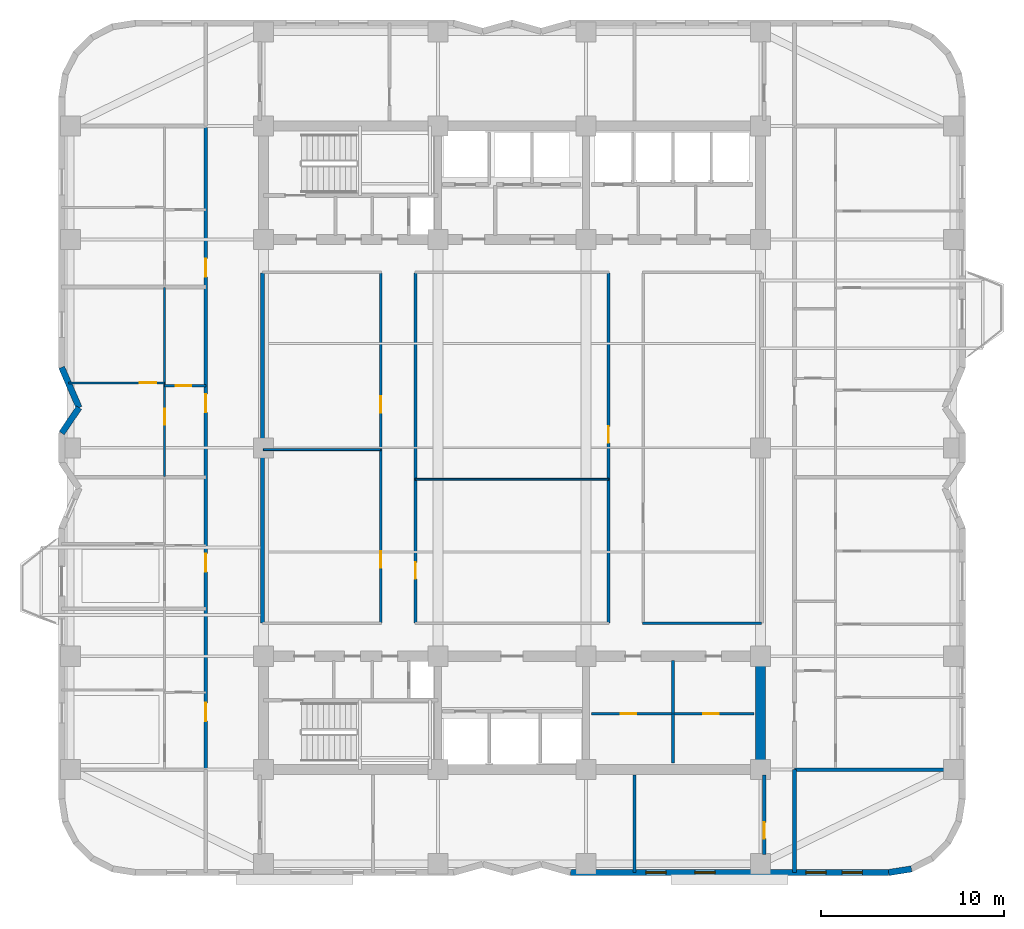
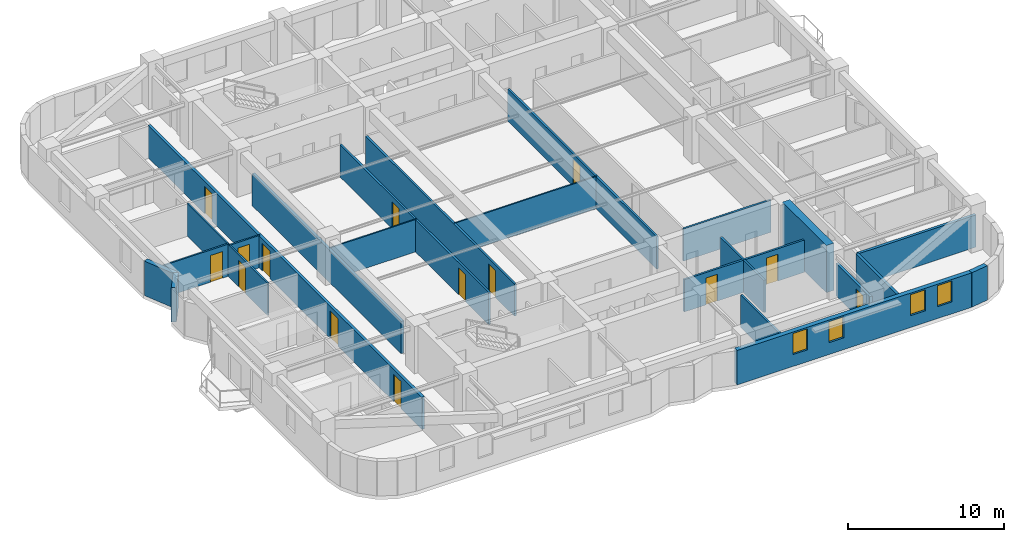
# One storey, part 4 of 10: 23 walls, 14 doors, 4 windows, 18 openings.
"""IFC4 building model written with IfcOpenShell, lengths in metres."""

from ifc_helpers import new_model, si_unit, direction, frame, frame_2d, origin, place, context, subcontext, project, spatial, rectangle, extrude, material, layer, layer_set, type_object, element, fill, save


model = new_model("IFC4")

# Units and contexts
model_context = context("Model", 3, precision=1e-05, world=origin(), true_north=direction((0.0, 1.0)))
body_context = subcontext(model_context, "Body", "Model", "MODEL_VIEW")
ifc_project = project(units=[si_unit("LENGTHUNIT", "METRE"), si_unit("AREAUNIT", "SQUARE_METRE"), si_unit("VOLUMEUNIT", "CUBIC_METRE"), si_unit("PLANEANGLEUNIT", "RADIAN"), si_unit("MASSUNIT", "GRAM", prefix="KILO")], contexts=[model_context])

# Site, building, storey
site_placement = place(None, origin())
site = spatial("IfcSite", under=ifc_project, at=site_placement, CompositionType="ELEMENT")
building_placement = place(site_placement, origin())
building = spatial("IfcBuilding", under=site, at=building_placement, Name="Svetorya Sky Lyceum", CompositionType="ELEMENT")
storey_placement = place(building_placement, frame((0.0, 0.0, 95.699951171875)))
storey = spatial("IfcBuildingStorey", under=building, at=storey_placement, Name="L23", CompositionType="ELEMENT", Elevation=95.699951171875)

# Wall
ifc_material_1 = material(Name="Concrete C60/75", Category="concrete")
ifc_layer_1 = layer(ifc_material_1, 0.550048828125)
ifc_layer_set_1 = layer_set([ifc_layer_1], Name="Concrete C60/75")
wall_type_1 = type_object("IfcWallType", Name="WL-CORE-550", PredefinedType="SHEAR", material=ifc_layer_set_1)
wall_1_placement = place(storey_placement, frame((52.800048828125, 10.875, 0.0), z_axis=(0.0, 0.0, 1.0), x_axis=(0.0, 1.0, 0.0)))
element("IfcWall", 1, at=wall_1_placement, inside=storey, type_object=wall_type_1, Name="L23 SC East Core Shear Wall", PredefinedType="SHEAR", context=body_context, shape_type="SweptSolid", body=[
    extrude(rectangle(XDim=5.64990234375, YDim=0.550048828125, at=frame_2d((2.824951171875, 0.0))), origin(), (0.0, 0.0, 1.0), 3.699951171875),
])

# Wall, openings, windows
ifc_material_2 = material(Name="Putilovo limestone rainscreen on autoclaved cellular masonry", Category="masonry")
ifc_layer_2 = layer(ifc_material_2, 0.340087890625)
ifc_layer_set_2 = layer_set([ifc_layer_2], Name="Putilovo limestone rainscreen on autoclaved cellular masonry")
wall_type_2 = type_object("IfcWallType", Name="WL-EXT-340", PredefinedType="SOLIDWALL", material=ifc_layer_set_2)
wall_2_placement = place(storey_placement, frame((42.39990234375, 4.969970703125, 0.0), z_axis=(0.0, 0.0, 1.0), x_axis=(1.0, 0.0, 0.0)))
wall_2 = element("IfcWall", 2, at=wall_2_placement, inside=storey, type_object=wall_type_2, Name="L23 Limestone Exterior Wall 11M", PredefinedType="SOLIDWALL", context=body_context, shape_type="SweptSolid", body=[
    extrude(rectangle(XDim=17.400146484375, YDim=0.340087890625, at=frame_2d((8.7001953125, 0.0))), origin(), (0.0, 0.0, 1.0), 2.699951171875),
])
opening_1_placement = place(wall_2_placement, frame((4.125, 0.0, 0.929931640625)))
opening_1 = element("IfcOpeningElement", 3, at=opening_1_placement, cuts=wall_2, Name="Opening W-R3", PredefinedType="OPENING", context=body_context, shape_type="SweptSolid", body=[
    extrude(rectangle(XDim=1.10009765625, YDim=1.64990234375, at=frame_2d((0.550048828125, 0.824951171875))), frame((0.0, 0.179931640625, 0.0), z_axis=(0.0, -1.0, 0.0), x_axis=(1.0, 0.0, 0.0)), (0.0, 0.0, 1.0), 0.360107421875),
])
opening_2_placement = place(wall_2_placement, frame((6.808349609375, 0.0, 0.929931640625)))
opening_2 = element("IfcOpeningElement", 4, at=opening_2_placement, cuts=wall_2, Name="Opening W-R3", PredefinedType="OPENING", context=body_context, shape_type="SweptSolid", body=[
    extrude(rectangle(XDim=1.10009765625, YDim=1.64990234375, at=frame_2d((0.550048828125, 0.824951171875))), frame((0.0, 0.179931640625, 0.0), z_axis=(0.0, -1.0, 0.0), x_axis=(1.0, 0.0, 0.0)), (0.0, 0.0, 1.0), 0.360107421875),
])
opening_3_placement = place(wall_2_placement, frame((12.875, 0.0, 0.929931640625)))
opening_3 = element("IfcOpeningElement", 5, at=opening_3_placement, cuts=wall_2, Name="Opening W-R3", PredefinedType="OPENING", context=body_context, shape_type="SweptSolid", body=[
    extrude(rectangle(XDim=1.10009765625, YDim=1.64990234375, at=frame_2d((0.550048828125, 0.824951171875))), frame((0.0, 0.179931640625, 0.0), z_axis=(0.0, -1.0, 0.0), x_axis=(1.0, 0.0, 0.0)), (0.0, 0.0, 1.0), 0.360107421875),
])
opening_4_placement = place(wall_2_placement, frame((14.8583984375, 0.0, 0.929931640625)))
opening_4 = element("IfcOpeningElement", 6, at=opening_4_placement, cuts=wall_2, Name="Opening W-R3", PredefinedType="OPENING", context=body_context, shape_type="SweptSolid", body=[
    extrude(rectangle(XDim=1.10009765625, YDim=1.64990234375, at=frame_2d((0.550048828125, 0.824951171875))), frame((0.0, 0.179931640625, 0.0), z_axis=(0.0, -1.0, 0.0), x_axis=(1.0, 0.0, 0.0)), (0.0, 0.0, 1.0), 0.360107421875),
])
ifc_material_3 = material(Name="Thermally broken aluminium frame with triple low-E glazing", Category="aluminium")
window_type = type_object("IfcWindowType", Name="WN-RES-110", PartitioningType="SINGLE_PANEL", PredefinedType="WINDOW", material=ifc_material_3)
window_1_placement = place(opening_1_placement, origin())
window_1 = element("IfcWindow", 7, at=window_1_placement, inside=storey, type_object=window_type, Name="L23 Facade Window W-R3.11M.1", OverallHeight=1.64990234375, OverallWidth=1.10009765625, PartitioningType="SINGLE_PANEL", PredefinedType="WINDOW", context=body_context, shape_type="SweptSolid", body=[
    extrude(rectangle(XDim=1.10009765625, YDim=1.64990234375, at=frame_2d((0.550048828125, 0.824951171875))), frame((0.0, 0.030029296875, 0.0), z_axis=(0.0, -1.0, 0.0), x_axis=(1.0, 0.0, 0.0)), (0.0, 0.0, 1.0), 0.06005859375),
])
fill(opening_1, window_1)
window_2_placement = place(opening_2_placement, origin())
window_2 = element("IfcWindow", 8, at=window_2_placement, inside=storey, type_object=window_type, Name="L23 Facade Window W-R3.11M.2", OverallHeight=1.64990234375, OverallWidth=1.10009765625, PartitioningType="SINGLE_PANEL", PredefinedType="WINDOW", context=body_context, shape_type="SweptSolid", body=[
    extrude(rectangle(XDim=1.10009765625, YDim=1.64990234375, at=frame_2d((0.550048828125, 0.824951171875))), frame((0.0, 0.030029296875, 0.0), z_axis=(0.0, -1.0, 0.0), x_axis=(1.0, 0.0, 0.0)), (0.0, 0.0, 1.0), 0.06005859375),
])
fill(opening_2, window_2)
window_3_placement = place(opening_3_placement, origin())
window_3 = element("IfcWindow", 9, at=window_3_placement, inside=storey, type_object=window_type, Name="L23 Facade Window W-R3.11M.3", OverallHeight=1.64990234375, OverallWidth=1.10009765625, PartitioningType="SINGLE_PANEL", PredefinedType="WINDOW", context=body_context, shape_type="SweptSolid", body=[
    extrude(rectangle(XDim=1.10009765625, YDim=1.64990234375, at=frame_2d((0.550048828125, 0.824951171875))), frame((0.0, 0.030029296875, 0.0), z_axis=(0.0, -1.0, 0.0), x_axis=(1.0, 0.0, 0.0)), (0.0, 0.0, 1.0), 0.06005859375),
])
fill(opening_3, window_3)
window_4_placement = place(opening_4_placement, origin())
window_4 = element("IfcWindow", 10, at=window_4_placement, inside=storey, type_object=window_type, Name="L23 Facade Window W-R3.11M.4", OverallHeight=1.64990234375, OverallWidth=1.10009765625, PartitioningType="SINGLE_PANEL", PredefinedType="WINDOW", context=body_context, shape_type="SweptSolid", body=[
    extrude(rectangle(XDim=1.10009765625, YDim=1.64990234375, at=frame_2d((0.550048828125, 0.824951171875))), frame((0.0, 0.030029296875, 0.0), z_axis=(0.0, -1.0, 0.0), x_axis=(1.0, 0.0, 0.0)), (0.0, 0.0, 1.0), 0.06005859375),
])
fill(opening_4, window_4)

# Walls
wall_3_placement = place(storey_placement, frame((59.800048828125, 4.969970703125, 0.0), z_axis=(0.0, 0.0, 1.0), x_axis=(0.987685918112, 0.15644975923, 0.0)))
element("IfcWall", 11, at=wall_3_placement, inside=storey, type_object=wall_type_2, Name="L23 Limestone Exterior Wall 12M", PredefinedType="SOLIDWALL", context=body_context, shape_type="SweptSolid", body=[
    extrude(rectangle(XDim=1.260986328125, YDim=0.340087890625, at=frame_2d((0.63037109375, 0.0))), origin(), (0.0, 0.0, 1.0), 2.699951171875),
])
wall_4_placement = place(storey_placement, frame((14.570068359375, 32.60009765625, 0.0), z_axis=(0.0, 0.0, 1.0), x_axis=(0.396389181543, -0.918082576218, 0.0)))
element("IfcWall", 12, at=wall_4_placement, inside=storey, type_object=wall_type_2, Name="L23 Limestone Exterior Wall 41M", PredefinedType="SOLIDWALL", context=body_context, shape_type="SweptSolid", body=[
    extrude(rectangle(XDim=2.396484375, YDim=0.340087890625, at=frame_2d((1.1982421875, 0.0))), origin(), (0.0, 0.0, 1.0), 2.699951171875),
])
wall_5_placement = place(storey_placement, frame((15.52001953125, 30.39990234375, 0.0), z_axis=(0.0, 0.0, 1.0), x_axis=(-0.561508476251, -0.827470985049, 0.0)))
element("IfcWall", 13, at=wall_5_placement, inside=storey, type_object=wall_type_2, Name="L23 Limestone Exterior Wall 42M", PredefinedType="SOLIDWALL", context=body_context, shape_type="SweptSolid", body=[
    extrude(rectangle(XDim=1.69189453125, YDim=0.340087890625, at=frame_2d((0.845947265625, 0.0))), origin(), (0.0, 0.0, 1.0), 2.699951171875),
])
ifc_material_4 = material(Name="Galvanized stud partition with moisture-resistant board", Category="gypsum")
ifc_layer_3 = layer(ifc_material_4, 0.10009765625)
ifc_layer_set_3 = layer_set([ifc_layer_3], Name="Galvanized stud partition with moisture-resistant board")
wall_type_3 = type_object("IfcWallType", Name="WL-PART-100", PredefinedType="PARTITIONING", material=ifc_layer_set_3)
wall_6_placement = place(storey_placement, frame((25.60009765625, 28.10009765625, 0.0), z_axis=(0.0, 0.0, 1.0), x_axis=(1.0, 0.0, 0.0)))
element("IfcWall", 14, at=wall_6_placement, inside=storey, type_object=wall_type_3, Name="L23 Interior Partition ISL-HMW", PredefinedType="PARTITIONING", context=body_context, shape_type="SweptSolid", body=[
    extrude(rectangle(XDim=6.419921875, YDim=0.10009765625, at=frame_2d((3.2099609375, 0.0))), origin(), (0.0, 0.0, 1.0), 2.530029296875),
])
wall_7_placement = place(storey_placement, frame((33.919921875, 26.477294921875, 0.0), z_axis=(0.0, 0.0, 1.0), x_axis=(1.0, 0.0, 0.0)))
element("IfcWall", 15, at=wall_7_placement, inside=storey, type_object=wall_type_3, Name="L23 Interior Partition ISL-HMIDE", PredefinedType="PARTITIONING", context=body_context, shape_type="SweptSolid", body=[
    extrude(rectangle(XDim=10.56005859375, YDim=0.10009765625, at=frame_2d((5.280029296875, 0.0))), origin(), (0.0, 0.0, 1.0), 2.530029296875),
])

# Wall, opening, door
ifc_material_5 = material(Name="Twin-stud galvanized framing with double fireboard", Category="gypsum")
ifc_layer_4 = layer(ifc_material_5, 0.1201171875)
ifc_layer_set_4 = layer_set([ifc_layer_4], Name="Twin-stud galvanized framing with double fireboard")
wall_type_4 = type_object("IfcWallType", Name="WL-PART-120", PredefinedType="PARTITIONING", material=ifc_layer_set_4)
wall_8_placement = place(storey_placement, frame((20.199951171875, 31.590087890625, 0.0), z_axis=(0.0, 0.0, 1.0), x_axis=(1.0, 0.0, 0.0)))
wall_8 = element("IfcWall", 16, at=wall_8_placement, inside=storey, type_object=wall_type_4, Name="L23 Interior Partition W3-WH1", PredefinedType="PARTITIONING", context=body_context, shape_type="SweptSolid", body=[
    extrude(rectangle(XDim=2.25, YDim=0.1201171875, at=frame_2d((1.125, 0.0))), origin(), (0.0, 0.0, 1.0), 2.530029296875),
])
opening_5_placement = place(wall_8_placement, frame((0.60009765625, 0.0, 0.0)))
opening_5 = element("IfcOpeningElement", 17, at=opening_5_placement, cuts=wall_8, Name="Opening D-BT1", PredefinedType="OPENING", context=body_context, shape_type="SweptSolid", body=[
    extrude(rectangle(XDim=0.85009765625, YDim=2.10009765625, at=frame_2d((0.425048828125, 1.050048828125))), frame((0.0, 0.070068359375, 0.0), z_axis=(0.0, -1.0, 0.0), x_axis=(1.0, 0.0, 0.0)), (0.0, 0.0, 1.0), 0.14013671875),
])
ifc_material_6 = material(Name="Moisture-resistant laminate bathroom door")
door_type_1 = type_object("IfcDoorType", Name="DR-WET-850", OperationType="SINGLE_SWING_LEFT", PredefinedType="DOOR", material=ifc_material_6)
door_1_placement = place(opening_5_placement, origin())
door_1 = element("IfcDoor", 18, at=door_1_placement, inside=storey, type_object=door_type_1, Name="Apartment W3 Bathroom Door", OperationType="SINGLE_SWING_LEFT", OverallHeight=2.10009765625, OverallWidth=0.85009765625, PredefinedType="DOOR", context=body_context, shape_type="SweptSolid", body=[
    extrude(rectangle(XDim=0.85009765625, YDim=2.10009765625, at=frame_2d((0.425048828125, 1.050048828125))), frame((0.0, 0.02490234375, 0.0), z_axis=(0.0, -1.0, 0.0), x_axis=(1.0, 0.0, 0.0)), (0.0, 0.0, 1.0), 0.050048828125),
])
fill(opening_5, door_1)

wall_9_placement = place(storey_placement, frame((14.93701171875, 31.75, 0.0), z_axis=(0.0, 0.0, 1.0), x_axis=(1.0, 0.0, 0.0)))
wall_9 = element("IfcWall", 19, at=wall_9_placement, inside=storey, type_object=wall_type_4, Name="L23 Interior Partition W3-WL1", PredefinedType="PARTITIONING", context=body_context, shape_type="SweptSolid", body=[
    extrude(rectangle(XDim=5.262939453125, YDim=0.1201171875, at=frame_2d((2.63134765625, 0.0))), origin(), (0.0, 0.0, 1.0), 2.530029296875),
])
opening_6_placement = place(wall_9_placement, frame((3.9130859375, 0.0, 0.0)))
opening_6 = element("IfcOpeningElement", 20, at=opening_6_placement, cuts=wall_9, Name="Opening D-RM1", PredefinedType="OPENING", context=body_context, shape_type="SweptSolid", body=[
    extrude(rectangle(XDim=0.89990234375, YDim=2.10009765625, at=frame_2d((0.449951171875, 1.050048828125))), frame((0.0, 0.070068359375, 0.0), z_axis=(0.0, -1.0, 0.0), x_axis=(1.0, 0.0, 0.0)), (0.0, 0.0, 1.0), 0.14013671875),
])
ifc_material_7 = material(Name="Lacquered birch veneer internal door")
door_type_2 = type_object("IfcDoorType", Name="DR-INT-900", OperationType="SINGLE_SWING_LEFT", PredefinedType="DOOR", material=ifc_material_7)
door_2_placement = place(opening_6_placement, origin())
door_2 = element("IfcDoor", 21, at=door_2_placement, inside=storey, type_object=door_type_2, Name="Apartment W3 Bedroom 1 Door", OperationType="SINGLE_SWING_LEFT", OverallHeight=2.10009765625, OverallWidth=0.89990234375, PredefinedType="DOOR", context=body_context, shape_type="SweptSolid", body=[
    extrude(rectangle(XDim=0.89990234375, YDim=2.10009765625, at=frame_2d((0.449951171875, 1.050048828125))), frame((0.0, 0.02490234375, 0.0), z_axis=(0.0, -1.0, 0.0), x_axis=(1.0, 0.0, 0.0)), (0.0, 0.0, 1.0), 0.050048828125),
])
fill(opening_6, door_2)

wall_10_placement = place(storey_placement, frame((20.199951171875, 26.639892578125, 0.0), z_axis=(0.0, 0.0, 1.0), x_axis=(0.0, 1.0, 0.0)))
wall_10 = element("IfcWall", 22, at=wall_10_placement, inside=storey, type_object=wall_type_4, Name="L23 Interior Partition W3-WV", PredefinedType="PARTITIONING", context=body_context, shape_type="SweptSolid", body=[
    extrude(rectangle(XDim=10.320068359375, YDim=0.1201171875, at=frame_2d((5.16015625, 0.0))), origin(), (0.0, 0.0, 1.0), 2.530029296875),
])
opening_7_placement = place(wall_10_placement, frame((2.81005859375, 0.0, 0.0)))
opening_7 = element("IfcOpeningElement", 23, at=opening_7_placement, cuts=wall_10, Name="Opening D-RM1", PredefinedType="OPENING", context=body_context, shape_type="SweptSolid", body=[
    extrude(rectangle(XDim=0.89990234375, YDim=2.10009765625, at=frame_2d((0.449951171875, 1.050048828125))), frame((0.0, 0.070068359375, 0.0), z_axis=(0.0, -1.0, 0.0), x_axis=(1.0, 0.0, 0.0)), (0.0, 0.0, 1.0), 0.14013671875),
])
door_3_placement = place(opening_7_placement, origin())
door_3 = element("IfcDoor", 24, at=door_3_placement, inside=storey, type_object=door_type_2, Name="Apartment W3 Living Door", OperationType="SINGLE_SWING_RIGHT", OverallHeight=2.10009765625, OverallWidth=0.89990234375, PredefinedType="DOOR", context=body_context, shape_type="SweptSolid", body=[
    extrude(rectangle(XDim=0.89990234375, YDim=2.10009765625, at=frame_2d((0.449951171875, 1.050048828125))), frame((0.0, 0.02490234375, 0.0), z_axis=(0.0, -1.0, 0.0), x_axis=(1.0, 0.0, 0.0)), (0.0, 0.0, 1.0), 0.050048828125),
])
fill(opening_7, door_3)

# Wall
ifc_material_8 = material(Name="Autoclaved cellular masonry blockwork with acoustic render", Category="masonry")
ifc_layer_5 = layer(ifc_material_8, 0.14990234375)
ifc_layer_set_5 = layer_set([ifc_layer_5], Name="Autoclaved cellular masonry blockwork with acoustic render")
wall_type_5 = type_object("IfcWallType", Name="WL-PART-150", PredefinedType="PARTITIONING", material=ifc_layer_set_5)
wall_11_placement = place(storey_placement, frame((48.0, 10.949951171875, 0.0), z_axis=(0.0, 0.0, 1.0), x_axis=(0.0, 1.0, 0.0)))
element("IfcWall", 25, at=wall_11_placement, inside=storey, type_object=wall_type_5, Name="L23 Interior Partition SC-LV7-V", PredefinedType="PARTITIONING", context=body_context, shape_type="SweptSolid", body=[
    extrude(rectangle(XDim=5.630126953125, YDim=0.14990234375, at=frame_2d((2.81494140625, 0.0))), origin(), (0.0, 0.0, 1.0), 2.530029296875),
])

# Wall, opening, door
wall_12_placement = place(storey_placement, frame((43.550048828125, 13.64990234375, 0.0), z_axis=(0.0, 0.0, 1.0), x_axis=(1.0, 0.0, 0.0)))
wall_12 = element("IfcWall", 26, at=wall_12_placement, inside=storey, type_object=wall_type_5, Name="L23 Interior Partition SC-LV7-HW", PredefinedType="PARTITIONING", context=body_context, shape_type="SweptSolid", body=[
    extrude(rectangle(XDim=4.39990234375, YDim=0.14990234375, at=frame_2d((2.199951171875, 0.0))), origin(), (0.0, 0.0, 1.0), 2.530029296875),
])
opening_8_placement = place(wall_12_placement, frame((1.60009765625, 0.0, 0.0)))
opening_8 = element("IfcOpeningElement", 27, at=opening_8_placement, cuts=wall_12, Name="Opening D-CWC1", PredefinedType="OPENING", context=body_context, shape_type="SweptSolid", body=[
    extrude(rectangle(XDim=0.85009765625, YDim=2.10009765625, at=frame_2d((0.425048828125, 1.050048828125))), frame((0.0, 0.0849609375, 0.0), z_axis=(0.0, -1.0, 0.0), x_axis=(1.0, 0.0, 0.0)), (0.0, 0.0, 1.0), 0.169921875),
])
ifc_material_9 = material(Name="Fire-rated galvanized steel core service closet door", Category="steel")
door_type_3 = type_object("IfcDoorType", Name="DR-CWET-850", OperationType="SINGLE_SWING_LEFT", PredefinedType="DOOR", material=ifc_material_9)
door_4_placement = place(opening_8_placement, origin())
door_4 = element("IfcDoor", 28, at=door_4_placement, inside=storey, type_object=door_type_3, Name="L23 South Electrical Room Door", OperationType="SINGLE_SWING_LEFT", OverallHeight=2.10009765625, OverallWidth=0.85009765625, PredefinedType="DOOR", context=body_context, shape_type="SweptSolid", body=[
    extrude(rectangle(XDim=0.85009765625, YDim=2.10009765625, at=frame_2d((0.425048828125, 1.050048828125))), frame((0.0, 0.02490234375, 0.0), z_axis=(0.0, -1.0, 0.0), x_axis=(1.0, 0.0, 0.0)), (0.0, 0.0, 1.0), 0.050048828125),
])
fill(opening_8, door_4)

wall_13_placement = place(storey_placement, frame((48.050048828125, 13.64990234375, 0.0), z_axis=(0.0, 0.0, 1.0), x_axis=(1.0, 0.0, 0.0)))
wall_13 = element("IfcWall", 29, at=wall_13_placement, inside=storey, type_object=wall_type_5, Name="L23 Interior Partition SC-LV7-HE", PredefinedType="PARTITIONING", context=body_context, shape_type="SweptSolid", body=[
    extrude(rectangle(XDim=4.39990234375, YDim=0.14990234375, at=frame_2d((2.199951171875, 0.0))), origin(), (0.0, 0.0, 1.0), 2.530029296875),
])
opening_9_placement = place(wall_13_placement, frame((1.60009765625, 0.0, 0.0)))
opening_9 = element("IfcOpeningElement", 30, at=opening_9_placement, cuts=wall_13, Name="Opening D-CWC1", PredefinedType="OPENING", context=body_context, shape_type="SweptSolid", body=[
    extrude(rectangle(XDim=0.85009765625, YDim=2.10009765625, at=frame_2d((0.425048828125, 1.050048828125))), frame((0.0, 0.0849609375, 0.0), z_axis=(0.0, -1.0, 0.0), x_axis=(1.0, 0.0, 0.0)), (0.0, 0.0, 1.0), 0.169921875),
])
door_5_placement = place(opening_9_placement, origin())
door_5 = element("IfcDoor", 31, at=door_5_placement, inside=storey, type_object=door_type_3, Name="L23 South Server Closet Door", OperationType="SINGLE_SWING_RIGHT", OverallHeight=2.10009765625, OverallWidth=0.85009765625, PredefinedType="DOOR", context=body_context, shape_type="SweptSolid", body=[
    extrude(rectangle(XDim=0.85009765625, YDim=2.10009765625, at=frame_2d((0.425048828125, 1.050048828125))), frame((0.0, 0.02490234375, 0.0), z_axis=(0.0, -1.0, 0.0), x_axis=(1.0, 0.0, 0.0)), (0.0, 0.0, 1.0), 0.050048828125),
])
fill(opening_9, door_5)

# Wall
wall_14_placement = place(storey_placement, frame((46.35009765625, 18.60009765625, 0.0), z_axis=(0.0, 0.0, 1.0), x_axis=(1.0, 0.0, 0.0)))
element("IfcWall", 32, at=wall_14_placement, inside=storey, type_object=wall_type_5, Name="L23 Interior Partition RL-CS-E", PredefinedType="PARTITIONING", context=body_context, shape_type="SweptSolid", body=[
    extrude(rectangle(XDim=6.5, YDim=0.14990234375, at=frame_2d((3.25, 0.0))), origin(), (0.0, 0.0, 1.0), 2.530029296875),
])

# Wall, openings, doors
wall_15_placement = place(storey_placement, frame((32.02001953125, 18.6298828125, 0.0), z_axis=(0.0, 0.0, 1.0), x_axis=(0.0, 1.0, 0.0)))
wall_15 = element("IfcWall", 33, at=wall_15_placement, inside=storey, type_object=wall_type_5, Name="L23 Interior Partition ISL-WW", PredefinedType="PARTITIONING", context=body_context, shape_type="SweptSolid", body=[
    extrude(rectangle(XDim=19.14013671875, YDim=0.14990234375, at=frame_2d((9.570068359375, 0.0))), origin(), (0.0, 0.0, 1.0), 2.530029296875),
])
opening_10_placement = place(wall_15_placement, frame((3.0, 0.0, 0.0)))
opening_10 = element("IfcOpeningElement", 34, at=opening_10_placement, cuts=wall_15, Name="Opening D-RM1", PredefinedType="OPENING", context=body_context, shape_type="SweptSolid", body=[
    extrude(rectangle(XDim=0.89990234375, YDim=2.10009765625, at=frame_2d((0.449951171875, 1.050048828125))), frame((0.0, 0.0849609375, 0.0), z_axis=(0.0, -1.0, 0.0), x_axis=(1.0, 0.0, 0.0)), (0.0, 0.0, 1.0), 0.169921875),
])
opening_11_placement = place(wall_15_placement, frame((11.5, 0.0, 0.0)))
opening_11 = element("IfcOpeningElement", 35, at=opening_11_placement, cuts=wall_15, Name="Opening D-RM1", PredefinedType="OPENING", context=body_context, shape_type="SweptSolid", body=[
    extrude(rectangle(XDim=0.89990234375, YDim=2.10009765625, at=frame_2d((0.449951171875, 1.050048828125))), frame((0.0, 0.0849609375, 0.0), z_axis=(0.0, -1.0, 0.0), x_axis=(1.0, 0.0, 0.0)), (0.0, 0.0, 1.0), 0.169921875),
])
door_6_placement = place(opening_10_placement, origin())
door_6 = element("IfcDoor", 36, at=door_6_placement, inside=storey, type_object=door_type_2, Name="L23 Reading Door", OperationType="SINGLE_SWING_RIGHT", OverallHeight=2.10009765625, OverallWidth=0.89990234375, PredefinedType="DOOR", context=body_context, shape_type="SweptSolid", body=[
    extrude(rectangle(XDim=0.89990234375, YDim=2.10009765625, at=frame_2d((0.449951171875, 1.050048828125))), frame((0.0, 0.02490234375, 0.0), z_axis=(0.0, -1.0, 0.0), x_axis=(1.0, 0.0, 0.0)), (0.0, 0.0, 1.0), 0.050048828125),
])
fill(opening_10, door_6)
door_7_placement = place(opening_11_placement, origin())
door_7 = element("IfcDoor", 37, at=door_7_placement, inside=storey, type_object=door_type_2, Name="L23 Music Door", OperationType="SINGLE_SWING_LEFT", OverallHeight=2.10009765625, OverallWidth=0.89990234375, PredefinedType="DOOR", context=body_context, shape_type="SweptSolid", body=[
    extrude(rectangle(XDim=0.89990234375, YDim=2.10009765625, at=frame_2d((0.449951171875, 1.050048828125))), frame((0.0, 0.02490234375, 0.0), z_axis=(0.0, -1.0, 0.0), x_axis=(1.0, 0.0, 0.0)), (0.0, 0.0, 1.0), 0.050048828125),
])
fill(opening_11, door_7)

# Wall, opening, door
wall_16_placement = place(storey_placement, frame((33.919921875, 18.6298828125, 0.0), z_axis=(0.0, 0.0, 1.0), x_axis=(0.0, 1.0, 0.0)))
wall_16 = element("IfcWall", 38, at=wall_16_placement, inside=storey, type_object=wall_type_5, Name="L23 Interior Partition ISL-WE", PredefinedType="PARTITIONING", context=body_context, shape_type="SweptSolid", body=[
    extrude(rectangle(XDim=19.14013671875, YDim=0.14990234375, at=frame_2d((9.570068359375, 0.0))), origin(), (0.0, 0.0, 1.0), 2.530029296875),
])
opening_12_placement = place(wall_16_placement, frame((2.39990234375, 0.0, 0.0)))
opening_12 = element("IfcOpeningElement", 39, at=opening_12_placement, cuts=wall_16, Name="Opening D-RM1", PredefinedType="OPENING", context=body_context, shape_type="SweptSolid", body=[
    extrude(rectangle(XDim=0.89990234375, YDim=2.10009765625, at=frame_2d((0.449951171875, 1.050048828125))), frame((0.0, 0.0849609375, 0.0), z_axis=(0.0, -1.0, 0.0), x_axis=(1.0, 0.0, 0.0)), (0.0, 0.0, 1.0), 0.169921875),
])
door_8_placement = place(opening_12_placement, origin())
door_8 = element("IfcDoor", 40, at=door_8_placement, inside=storey, type_object=door_type_2, Name="L23 Office Door", OperationType="SINGLE_SWING_LEFT", OverallHeight=2.10009765625, OverallWidth=0.89990234375, PredefinedType="DOOR", context=body_context, shape_type="SweptSolid", body=[
    extrude(rectangle(XDim=0.89990234375, YDim=2.10009765625, at=frame_2d((0.449951171875, 1.050048828125))), frame((0.0, 0.02490234375, 0.0), z_axis=(0.0, -1.0, 0.0), x_axis=(1.0, 0.0, 0.0)), (0.0, 0.0, 1.0), 0.050048828125),
])
fill(opening_12, door_8)

wall_17_placement = place(storey_placement, frame((44.47998046875, 18.6298828125, 0.0), z_axis=(0.0, 0.0, 1.0), x_axis=(0.0, 1.0, 0.0)))
wall_17 = element("IfcWall", 41, at=wall_17_placement, inside=storey, type_object=wall_type_5, Name="L23 Interior Partition ISL-EW", PredefinedType="PARTITIONING", context=body_context, shape_type="SweptSolid", body=[
    extrude(rectangle(XDim=19.14013671875, YDim=0.14990234375, at=frame_2d((9.570068359375, 0.0))), origin(), (0.0, 0.0, 1.0), 2.530029296875),
])
opening_13_placement = place(wall_17_placement, frame((9.847412109375, 0.0, 0.0)))
opening_13 = element("IfcOpeningElement", 42, at=opening_13_placement, cuts=wall_17, Name="Opening D-RM1", PredefinedType="OPENING", context=body_context, shape_type="SweptSolid", body=[
    extrude(rectangle(XDim=0.89990234375, YDim=2.10009765625, at=frame_2d((0.449951171875, 1.050048828125))), frame((0.0, 0.0849609375, 0.0), z_axis=(0.0, -1.0, 0.0), x_axis=(1.0, 0.0, 0.0)), (0.0, 0.0, 1.0), 0.169921875),
])
door_9_placement = place(opening_13_placement, origin())
door_9 = element("IfcDoor", 43, at=door_9_placement, inside=storey, type_object=door_type_2, Name="L23 Meeting Door", OperationType="SINGLE_SWING_RIGHT", OverallHeight=2.10009765625, OverallWidth=0.89990234375, PredefinedType="DOOR", context=body_context, shape_type="SweptSolid", body=[
    extrude(rectangle(XDim=0.89990234375, YDim=2.10009765625, at=frame_2d((0.449951171875, 1.050048828125))), frame((0.0, 0.02490234375, 0.0), z_axis=(0.0, -1.0, 0.0), x_axis=(1.0, 0.0, 0.0)), (0.0, 0.0, 1.0), 0.050048828125),
])
fill(opening_13, door_9)

# Walls
wall_18_placement = place(storey_placement, frame((45.89990234375, 4.969970703125, 0.0), z_axis=(0.0, 0.0, 1.0), x_axis=(0.0, 1.0, 0.0)))
element("IfcWall", 44, at=wall_18_placement, inside=storey, type_object=wall_type_5, Name="L23 Interior Partition S-D2", PredefinedType="PARTITIONING", context=body_context, shape_type="SweptSolid", body=[
    extrude(rectangle(XDim=5.330078125, YDim=0.14990234375, at=frame_2d((2.6650390625, 0.0))), origin(), (0.0, 0.0, 1.0), 2.530029296875),
])
ifc_material_10 = material(Name="Autoclaved cellular masonry blockwork with gypsum plaster", Category="masonry")
ifc_layer_6 = layer(ifc_material_10, 0.199951171875)
ifc_layer_set_6 = layer_set([ifc_layer_6], Name="Autoclaved cellular masonry blockwork with gypsum plaster")
wall_type_6 = type_object("IfcWallType", Name="WL-PART-200", PredefinedType="PARTITIONING", material=ifc_layer_set_6)
wall_19_placement = place(storey_placement, frame((25.550048828125, 18.6298828125, 0.0), z_axis=(0.0, 0.0, 1.0), x_axis=(0.0, 1.0, 0.0)))
element("IfcWall", 45, at=wall_19_placement, inside=storey, type_object=wall_type_6, Name="L23 Interior Partition W-CEN-SEP", PredefinedType="PARTITIONING", context=body_context, shape_type="SweptSolid", body=[
    extrude(rectangle(XDim=19.14013671875, YDim=0.199951171875, at=frame_2d((9.570068359375, 0.0))), origin(), (0.0, 0.0, 1.0), 2.530029296875),
])

# Wall, openings, doors
wall_20_placement = place(storey_placement, frame((22.449951171875, 10.60009765625, 0.0), z_axis=(0.0, 0.0, 1.0), x_axis=(0.0, 1.0, 0.0)))
wall_20 = element("IfcWall", 46, at=wall_20_placement, inside=storey, type_object=wall_type_6, Name="L23 Interior Partition W-CORRW", PredefinedType="PARTITIONING", context=body_context, shape_type="SweptSolid", body=[
    extrude(rectangle(XDim=35.199951171875, YDim=0.199951171875, at=frame_2d((17.60009765625, 0.0))), origin(), (0.0, 0.0, 1.0), 2.530029296875),
])
opening_14_placement = place(wall_20_placement, frame((2.64990234375, 0.0, 0.0)))
opening_14 = element("IfcOpeningElement", 47, at=opening_14_placement, cuts=wall_20, Name="Opening D-APT1", PredefinedType="OPENING", context=body_context, shape_type="SweptSolid", body=[
    extrude(rectangle(XDim=1.0, YDim=2.14990234375, at=frame_2d((0.5, 1.074951171875))), frame((0.0, 0.10986328125, 0.0), z_axis=(0.0, -1.0, 0.0), x_axis=(1.0, 0.0, 0.0)), (0.0, 0.0, 1.0), 0.219970703125),
])
opening_15_placement = place(wall_20_placement, frame((10.81005859375, 0.0, 0.0)))
opening_15 = element("IfcOpeningElement", 48, at=opening_15_placement, cuts=wall_20, Name="Opening D-APT1", PredefinedType="OPENING", context=body_context, shape_type="SweptSolid", body=[
    extrude(rectangle(XDim=1.0, YDim=2.14990234375, at=frame_2d((0.5, 1.074951171875))), frame((0.0, 0.10986328125, 0.0), z_axis=(0.0, -1.0, 0.0), x_axis=(1.0, 0.0, 0.0)), (0.0, 0.0, 1.0), 0.219970703125),
])
opening_16_placement = place(wall_20_placement, frame((19.5400390625, 0.0, 0.0)))
opening_16 = element("IfcOpeningElement", 49, at=opening_16_placement, cuts=wall_20, Name="Opening D-APT1", PredefinedType="OPENING", context=body_context, shape_type="SweptSolid", body=[
    extrude(rectangle(XDim=1.0, YDim=2.14990234375, at=frame_2d((0.5, 1.074951171875))), frame((0.0, 0.10986328125, 0.0), z_axis=(0.0, -1.0, 0.0), x_axis=(1.0, 0.0, 0.0)), (0.0, 0.0, 1.0), 0.219970703125),
])
opening_17_placement = place(wall_20_placement, frame((26.949951171875, 0.0, 0.0)))
opening_17 = element("IfcOpeningElement", 50, at=opening_17_placement, cuts=wall_20, Name="Opening D-APT1", PredefinedType="OPENING", context=body_context, shape_type="SweptSolid", body=[
    extrude(rectangle(XDim=1.0, YDim=2.14990234375, at=frame_2d((0.5, 1.074951171875))), frame((0.0, 0.10986328125, 0.0), z_axis=(0.0, -1.0, 0.0), x_axis=(1.0, 0.0, 0.0)), (0.0, 0.0, 1.0), 0.219970703125),
])
ifc_material_11 = material(Name="Insulated oak-veneered apartment entrance door")
door_type_4 = type_object("IfcDoorType", Name="DR-APT-1000", OperationType="SINGLE_SWING_LEFT", PredefinedType="DOOR", material=ifc_material_11)
door_10_placement = place(opening_14_placement, origin())
door_10 = element("IfcDoor", 51, at=door_10_placement, inside=storey, type_object=door_type_4, Name="L23 Apartment W1 Entrance Door", OperationType="SINGLE_SWING_LEFT", OverallHeight=2.14990234375, OverallWidth=1.0, PredefinedType="DOOR", context=body_context, shape_type="SweptSolid", body=[
    extrude(rectangle(XDim=1.0, YDim=2.14990234375, at=frame_2d((0.5, 1.074951171875))), frame((0.0, 0.02490234375, 0.0), z_axis=(0.0, -1.0, 0.0), x_axis=(1.0, 0.0, 0.0)), (0.0, 0.0, 1.0), 0.050048828125),
])
fill(opening_14, door_10)
door_11_placement = place(opening_15_placement, origin())
door_11 = element("IfcDoor", 52, at=door_11_placement, inside=storey, type_object=door_type_4, Name="L23 Apartment W2 Entrance Door", OperationType="SINGLE_SWING_RIGHT", OverallHeight=2.14990234375, OverallWidth=1.0, PredefinedType="DOOR", context=body_context, shape_type="SweptSolid", body=[
    extrude(rectangle(XDim=1.0, YDim=2.14990234375, at=frame_2d((0.5, 1.074951171875))), frame((0.0, 0.02490234375, 0.0), z_axis=(0.0, -1.0, 0.0), x_axis=(1.0, 0.0, 0.0)), (0.0, 0.0, 1.0), 0.050048828125),
])
fill(opening_15, door_11)
door_12_placement = place(opening_16_placement, origin())
door_12 = element("IfcDoor", 53, at=door_12_placement, inside=storey, type_object=door_type_4, Name="L23 Apartment W3 Entrance Door", OperationType="SINGLE_SWING_LEFT", OverallHeight=2.14990234375, OverallWidth=1.0, PredefinedType="DOOR", context=body_context, shape_type="SweptSolid", body=[
    extrude(rectangle(XDim=1.0, YDim=2.14990234375, at=frame_2d((0.5, 1.074951171875))), frame((0.0, 0.02490234375, 0.0), z_axis=(0.0, -1.0, 0.0), x_axis=(1.0, 0.0, 0.0)), (0.0, 0.0, 1.0), 0.050048828125),
])
fill(opening_16, door_12)
door_13_placement = place(opening_17_placement, origin())
door_13 = element("IfcDoor", 54, at=door_13_placement, inside=storey, type_object=door_type_4, Name="L23 Apartment W4 Entrance Door", OperationType="SINGLE_SWING_RIGHT", OverallHeight=2.14990234375, OverallWidth=1.0, PredefinedType="DOOR", context=body_context, shape_type="SweptSolid", body=[
    extrude(rectangle(XDim=1.0, YDim=2.14990234375, at=frame_2d((0.5, 1.074951171875))), frame((0.0, 0.02490234375, 0.0), z_axis=(0.0, -1.0, 0.0), x_axis=(1.0, 0.0, 0.0)), (0.0, 0.0, 1.0), 0.050048828125),
])
fill(opening_17, door_13)

# Walls
wall_21_placement = place(storey_placement, frame((54.64990234375, 10.60009765625, 0.0), z_axis=(0.0, 0.0, 1.0), x_axis=(1.0, 0.0, 0.0)))
element("IfcWall", 55, at=wall_21_placement, inside=storey, type_object=wall_type_6, Name="L23 Interior Partition E-CAP-S", PredefinedType="PARTITIONING", context=body_context, shape_type="SweptSolid", body=[
    extrude(rectangle(XDim=8.760009765625, YDim=0.199951171875, at=frame_2d((4.3798828125, 0.0))), origin(), (0.0, 0.0, 1.0), 2.530029296875),
])
wall_22_placement = place(storey_placement, frame((54.64990234375, 4.969970703125, 0.0), z_axis=(0.0, 0.0, 1.0), x_axis=(0.0, 1.0, 0.0)))
element("IfcWall", 56, at=wall_22_placement, inside=storey, type_object=wall_type_6, Name="L23 Interior Partition EC-SE-END", PredefinedType="PARTITIONING", context=body_context, shape_type="SweptSolid", body=[
    extrude(rectangle(XDim=5.630126953125, YDim=0.199951171875, at=frame_2d((2.81494140625, 0.0))), origin(), (0.0, 0.0, 1.0), 2.530029296875),
])

# Wall, opening, door
wall_23_placement = place(storey_placement, frame((53.0, 5.969970703125, 0.0), z_axis=(0.0, 0.0, 1.0), x_axis=(0.0, 1.0, 0.0)))
wall_23 = element("IfcWall", 57, at=wall_23_placement, inside=storey, type_object=wall_type_6, Name="L23 Interior Partition S-EE", PredefinedType="PARTITIONING", context=body_context, shape_type="SweptSolid", body=[
    extrude(rectangle(XDim=4.330078125, YDim=0.199951171875, at=frame_2d((2.1650390625, 0.0))), origin(), (0.0, 0.0, 1.0), 2.530029296875),
])
opening_18_placement = place(wall_23_placement, frame((0.85009765625, 0.0, 0.0)))
opening_18 = element("IfcOpeningElement", 58, at=opening_18_placement, cuts=wall_23, Name="Opening D-RM1", PredefinedType="OPENING", context=body_context, shape_type="SweptSolid", body=[
    extrude(rectangle(XDim=0.89990234375, YDim=2.10009765625, at=frame_2d((0.449951171875, 1.050048828125))), frame((0.0, 0.10986328125, 0.0), z_axis=(0.0, -1.0, 0.0), x_axis=(1.0, 0.0, 0.0)), (0.0, 0.0, 1.0), 0.219970703125),
])
door_14_placement = place(opening_18_placement, origin())
door_14 = element("IfcDoor", 59, at=door_14_placement, inside=storey, type_object=door_type_2, Name="L23 South Focus Door", OperationType="SINGLE_SWING_RIGHT", OverallHeight=2.10009765625, OverallWidth=0.89990234375, PredefinedType="DOOR", context=body_context, shape_type="SweptSolid", body=[
    extrude(rectangle(XDim=0.89990234375, YDim=2.10009765625, at=frame_2d((0.449951171875, 1.050048828125))), frame((0.0, 0.02490234375, 0.0), z_axis=(0.0, -1.0, 0.0), x_axis=(1.0, 0.0, 0.0)), (0.0, 0.0, 1.0), 0.050048828125),
])
fill(opening_18, door_14)

save(model, "model.ifc")
